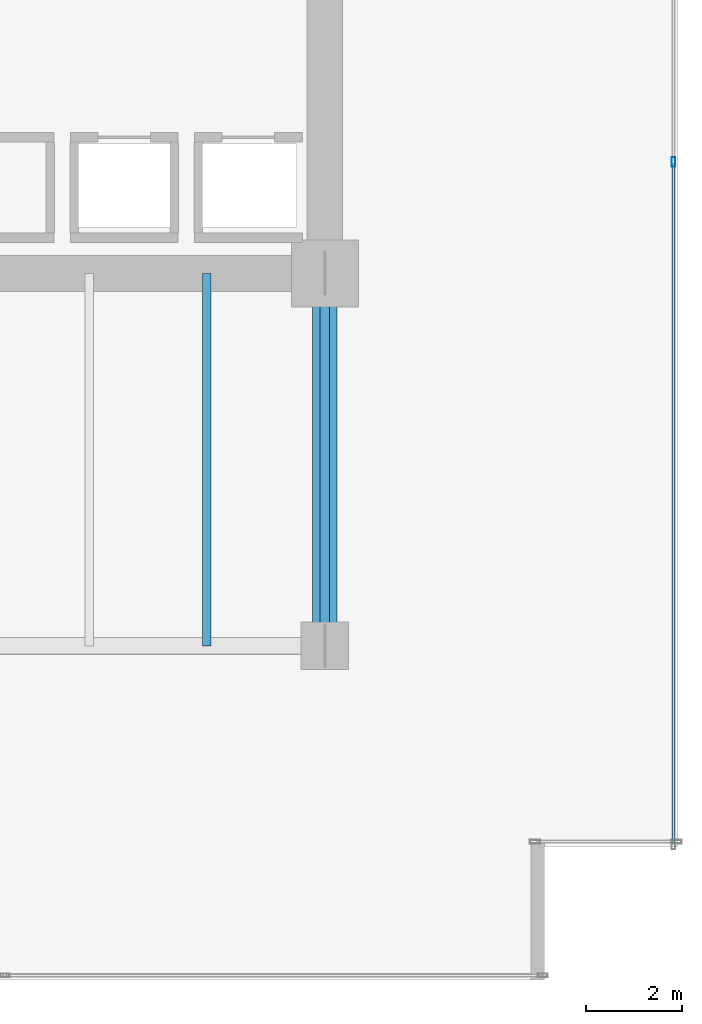
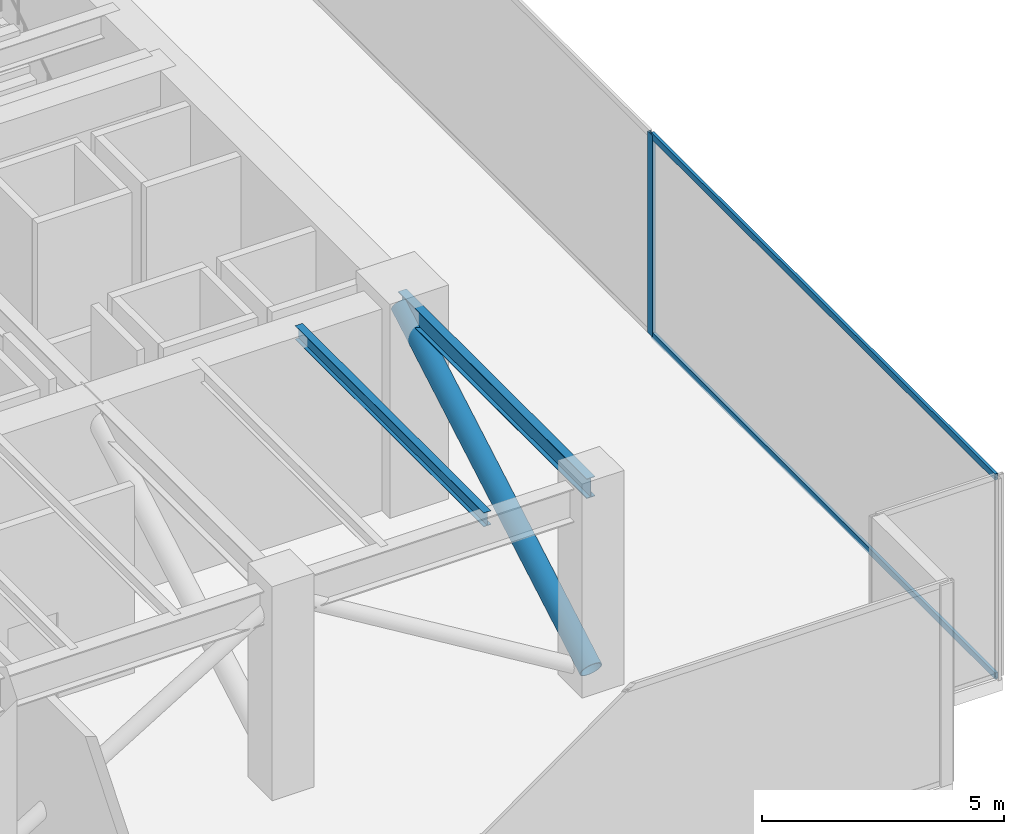
# One storey, part 24 of 38: 4 members, 2 beams, 1 element without a shape of its own.
"""IFC4 building model written with IfcOpenShell, lengths in metres."""

from ifc_helpers import new_model, si_unit, direction, frame, origin, origin_2d, place, context, subcontext, project, spatial, hollow_rectangle, hollow_circle, i_section, extrude, source, transform, mapped, material, layer, layer_set, material_profile, profile_set, type_object, type_shapes, element, aggregate, save


model = new_model("IFC4")

# Units and contexts
model_context = context("Model", 3, precision=1e-05, world=origin(), true_north=direction((0.0, 1.0)))
body_context = subcontext(model_context, "Body", "Model", "MODEL_VIEW")
ifc_project = project(units=[si_unit("LENGTHUNIT", "METRE"), si_unit("AREAUNIT", "SQUARE_METRE"), si_unit("VOLUMEUNIT", "CUBIC_METRE"), si_unit("PLANEANGLEUNIT", "RADIAN"), si_unit("MASSUNIT", "GRAM", prefix="KILO")], contexts=[model_context])

# Site, building, storey
site_placement = place(None, origin())
site = spatial("IfcSite", under=ifc_project, at=site_placement, CompositionType="ELEMENT")
building_placement = place(site_placement, origin())
building = spatial("IfcBuilding", under=site, at=building_placement, Name="Haelvirn Gate Laboratories", CompositionType="ELEMENT")
storey_placement = place(building_placement, frame((0.0, 0.0, 94.89990234375)))
storey = spatial("IfcBuildingStorey", under=building, at=storey_placement, Name="L23", CompositionType="ELEMENT", Elevation=94.89990234375)

# Beams
ifc_material_1 = material(Name="Steel SM355", Category="steel")
ifc_material_profile_1 = material_profile(ifc_material_1, i_section(OverallWidth=0.199951171875, OverallDepth=0.5, WebThickness=0.010009765625, FlangeThickness=0.01611328125, at=origin_2d()), Name="H-500x200x10x16")
ifc_profile_set_1 = profile_set([ifc_material_profile_1], Name="Steel SM355")
beam_type_1 = type_object("IfcBeamType", Name="BM-SP-500", PredefinedType="SPANDREL", material=ifc_profile_set_1)
shared_shape_1 = source(origin(), body_context, "Body", "SweptSolid", [
    extrude(i_section(OverallWidth=0.199951171875, OverallDepth=0.5, WebThickness=0.010009765625, FlangeThickness=0.01611328125, at=origin_2d()), origin(), (0.0, 0.0, 1.0), 7.800048828125),
])
type_shapes(beam_type_1, [shared_shape_1])
beam_1_placement = place(storey_placement, frame((67.39990234375, 7.0, 4.840087890625), z_axis=(0.0, 1.0, 0.0), x_axis=(-1.0, 0.0, 0.0)))
element("IfcBeam", 1, at=beam_1_placement, inside=storey, type_object=beam_type_1, Name="L23 Perimeter Spandrel X67.4 (7.0-14.8)", PredefinedType="SPANDREL", context=body_context, shape_type="MappedRepresentation", body=[
    mapped(shared_shape_1, transform((0.0, 0.0, 0.0), scale=1.0)),
])
ifc_material_profile_2 = material_profile(ifc_material_1, i_section(OverallWidth=0.175048828125, OverallDepth=0.35009765625, WebThickness=0.007080078125, FlangeThickness=0.010986328125, at=origin_2d()), Name="H-350x175x7x11")
ifc_profile_set_2 = profile_set([ifc_material_profile_2], Name="Steel SM355")
beam_type_2 = type_object("IfcBeamType", Name="BM-J-350", PredefinedType="JOIST", material=ifc_profile_set_2)
shared_shape_2 = source(origin(), body_context, "Body", "SweptSolid", [
    extrude(i_section(OverallWidth=0.175048828125, OverallDepth=0.35009765625, WebThickness=0.007080078125, FlangeThickness=0.010986328125, at=origin_2d()), origin(), (0.0, 0.0, 1.0), 7.800048828125),
])
type_shapes(beam_type_2, [shared_shape_2])
beam_2_placement = place(storey_placement, frame((64.929931640625, 7.0, 4.9150390625), z_axis=(0.0, 1.0, 0.0), x_axis=(-1.0, 0.0, 0.0)))
element("IfcBeam", 2, at=beam_2_placement, inside=storey, type_object=beam_type_2, Name="L23 Composite Lab Joist South X64.93", PredefinedType="JOIST", context=body_context, shape_type="MappedRepresentation", body=[
    mapped(shared_shape_2, transform((0.0, 0.0, 0.0), scale=1.0)),
])

# Member
ifc_material_2 = material(Name="Steel SM420", Category="steel")
ifc_material_profile_3 = material_profile(ifc_material_2, hollow_circle(Radius=0.25390625, WallThickness=0.02001953125, at=origin_2d()), Name="CHS-508x20")
ifc_profile_set_3 = profile_set([ifc_material_profile_3], Name="Steel SM420")
member_type_1 = type_object("IfcMemberType", Name="MEM-OUTRIG-1", PredefinedType="BRACE", material=ifc_profile_set_3)
shared_shape_3 = source(origin(), body_context, "Body", "SweptSolid", [
    extrude(hollow_circle(Radius=0.25390625, WallThickness=0.02001953125, at=origin_2d()), origin(), (0.0, 0.0, 1.0), 9.0),
])
type_shapes(member_type_1, [shared_shape_3])
member_1_placement = place(storey_placement, frame((67.39990234375, 14.800048828125, 4.739990234375), z_axis=(0.0, -0.866667951138, -0.498885420182), x_axis=(1.0, 0.0, 0.0)))
element("IfcMember", 3, at=member_1_placement, inside=storey, type_object=member_type_1, Name="L23 Outrigger Truss Arm ES2", PredefinedType="BRACE", context=body_context, shape_type="MappedRepresentation", body=[
    mapped(shared_shape_3, transform((0.0, 0.0, 0.0), scale=1.0)),
])

# Curtain wall, members
ifc_material_3 = material(Name="Anodised bronze unitised aluminium & triple low-E glass", Category="aluminium")
ifc_layer = layer(ifc_material_3, 0.18408203125, Name="CW-SYS-2")
ifc_layer_set = layer_set([ifc_layer], Name="Anodised bronze unitised aluminium & triple low-E glass")
curtain_wall_type = type_object("IfcCurtainWallType", Name="CW-SYS-2", PredefinedType="NOTDEFINED", material=ifc_layer_set)
curtain_wall_placement = place(storey_placement, origin())
curtain_wall = element("IfcCurtainWall", 4, at=curtain_wall_placement, inside=storey, type_object=curtain_wall_type, Name="L23 Unitised Curtain Wall CW-L23-P0-E07", PredefinedType="NOTDEFINED")
ifc_material_4 = material(Name="Extruded aluminium 6063-T6 (anodised bronze)", Category="aluminium")
ifc_material_profile_4 = material_profile(ifc_material_4, hollow_rectangle(XDim=0.070068359375, YDim=0.159912109375, WallThickness=0.0048828125, at=origin_2d()), Name="CWT-160x70x5")
ifc_profile_set_4 = profile_set([ifc_material_profile_4], Name="Extruded aluminium 6063-T6 (anodised bronze)")
member_type_2 = type_object("IfcMemberType", Name="CWT-T160", PredefinedType="USERDEFINED", material=ifc_profile_set_4)
shared_shape_4 = source(origin(), body_context, "Body", "SweptSolid", [
    extrude(hollow_rectangle(XDim=0.070068359375, YDim=0.159912109375, WallThickness=0.0048828125, at=origin_2d()), origin(), (0.0, 0.0, 1.0), 14.220947265625),
])
type_shapes(member_type_2, [shared_shape_4])
member_2_placement = place(storey_placement, frame((74.699951171875, 2.875, 0.03515625), z_axis=(0.0, 1.0, 0.0), x_axis=(-1.0, 0.0, 0.0)))
member_2 = element("IfcMember", 5, at=member_2_placement, type_object=member_type_2, Name="CW2 transom 1.1", ObjectType="TRANSOM", PredefinedType="USERDEFINED", context=body_context, shape_type="MappedRepresentation", body=[
    mapped(shared_shape_4, transform((0.0, 0.0, 0.0), scale=1.0)),
])
member_3_placement = place(storey_placement, frame((74.699951171875, 2.875, 5.05517578125), z_axis=(0.0, 1.0, 0.0), x_axis=(-1.0, 0.0, 0.0)))
member_3 = element("IfcMember", 6, at=member_3_placement, type_object=member_type_2, Name="CW2 transom 1.2", ObjectType="TRANSOM", PredefinedType="USERDEFINED", context=body_context, shape_type="MappedRepresentation", body=[
    mapped(shared_shape_4, transform((0.0, 0.0, 0.0), scale=1.0)),
])
ifc_material_profile_5 = material_profile(ifc_material_4, hollow_rectangle(XDim=0.074951171875, YDim=0.199951171875, WallThickness=0.0048828125, at=origin_2d()), Name="CWM-200x75x5")
ifc_profile_set_5 = profile_set([ifc_material_profile_5], Name="Extruded aluminium 6063-T6 (anodised bronze)")
member_type_3 = type_object("IfcMemberType", Name="CWM-T200", PredefinedType="MULLION", material=ifc_profile_set_5)
shared_shape_5 = source(origin(), body_context, "Body", "SweptSolid", [
    extrude(hollow_rectangle(XDim=0.074951171875, YDim=0.199951171875, WallThickness=0.0048828125, at=origin_2d()), origin(), (0.0, 0.0, 1.0), 5.090087890625),
])
type_shapes(member_type_3, [shared_shape_5])
member_4_placement = place(storey_placement, frame((74.699951171875, 17.13330078125, 0.0), z_axis=(0.0, 0.0, 1.0), x_axis=(-1.0, 0.0, 0.0)))
member_4 = element("IfcMember", 7, at=member_4_placement, type_object=member_type_3, Name="CW2 mullion 2", PredefinedType="MULLION", context=body_context, shape_type="MappedRepresentation", body=[
    mapped(shared_shape_5, transform((0.0, 0.0, 0.0), scale=1.0)),
])
aggregate(curtain_wall, [member_4, member_2, member_3])

save(model, "model.ifc")
